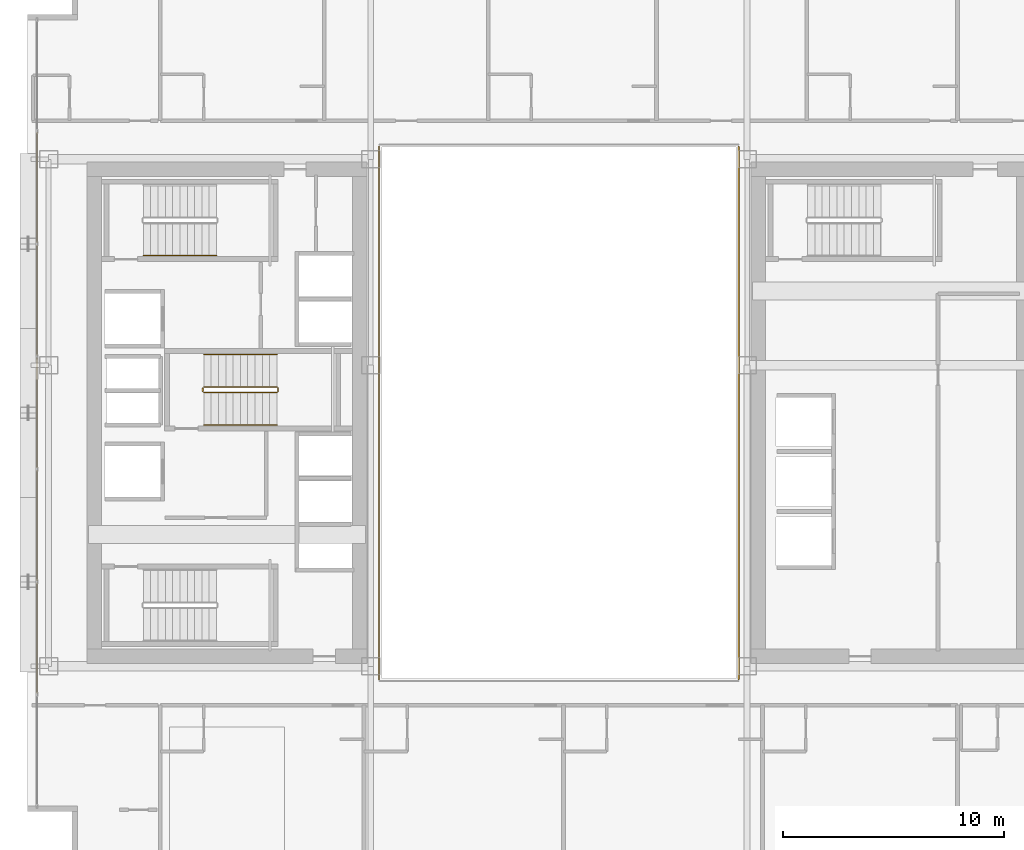
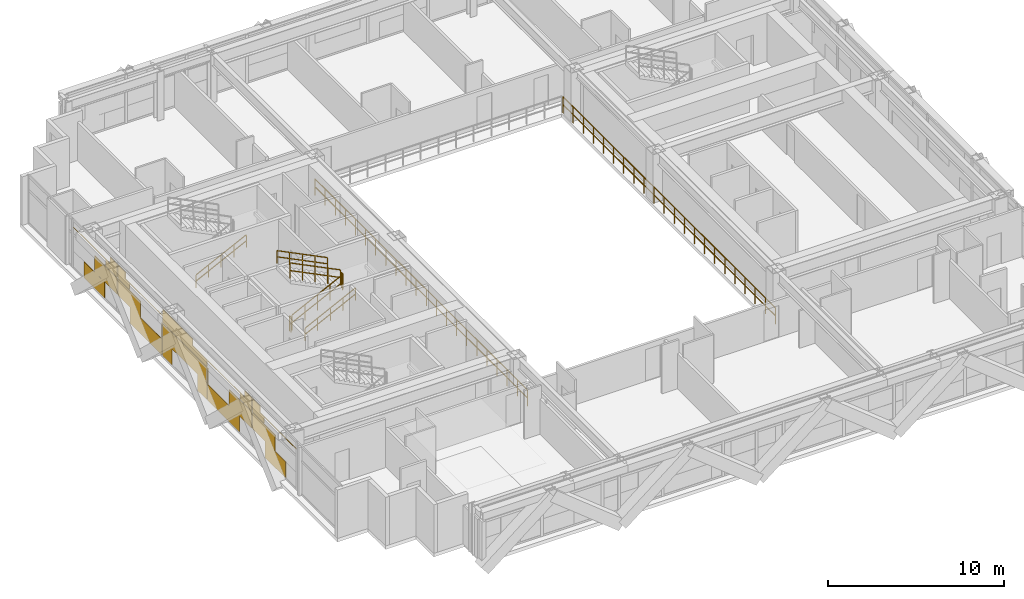
# One storey, part 32 of 34: 9 railings, 1 covering.
"""IFC4 building model written with IfcOpenShell, lengths in metres."""

from ifc_helpers import new_model, si_unit, direction, frame, origin, origin_2d, place, context, subcontext, project, spatial, rectangle, extrude, material, layer, layer_set, type_object, element, save


model = new_model("IFC4")

# Units and contexts
model_context = context("Model", 3, precision=1e-05, world=origin(), true_north=direction((0.0, 1.0)))
body_context = subcontext(model_context, "Body", "Model", "MODEL_VIEW")
ifc_project = project(units=[si_unit("LENGTHUNIT", "METRE"), si_unit("AREAUNIT", "SQUARE_METRE"), si_unit("VOLUMEUNIT", "CUBIC_METRE"), si_unit("PLANEANGLEUNIT", "RADIAN"), si_unit("MASSUNIT", "GRAM", prefix="KILO")], contexts=[model_context])

# Site, building, storey
site_placement = place(None, origin())
site = spatial("IfcSite", under=ifc_project, at=site_placement, CompositionType="ELEMENT")
building_placement = place(site_placement, origin())
building = spatial("IfcBuilding", under=site, at=building_placement, Name="Ocotamira Hotel", CompositionType="ELEMENT")
storey_placement = place(building_placement, frame((0.0, 0.0, 111.60009765625)))
storey = spatial("IfcBuildingStorey", under=building, at=storey_placement, Name="L27", CompositionType="ELEMENT", Elevation=111.60009765625)

# Covering
ifc_material_1 = material(Name="Insulated pale-metal aluminium spandrel panel", Category="aluminium")
ifc_layer = layer(ifc_material_1, 0.044921875)
ifc_layer_set = layer_set([ifc_layer], Name="Insulated pale-metal aluminium spandrel panel")
covering_type = type_object("IfcCoveringType", Name="COV-INFILL-45", PredefinedType="CLADDING", material=ifc_layer_set)
covering_placement = place(storey_placement, origin())
element("IfcCovering", 1, at=covering_placement, inside=storey, type_object=covering_type, Name="L27 Curtain Wall Infill CW-3 CW-L27-W", PredefinedType="CLADDING", context=body_context, shape_type="SweptSolid", body=[
    extrude(rectangle(XDim=2.35107421875, YDim=0.044921875, at=origin_2d()), frame((8.419921875, 15.741943359375, 0.0751953125), z_axis=(0.0, 0.0, 1.0), x_axis=(0.0, 1.0, 0.0)), (0.0, 0.0, 1.0), 1.117919921875),
    extrude(rectangle(XDim=2.578369140625, YDim=0.044921875, at=origin_2d()), frame((8.419921875, 17.041748046875, 1.194091796875), z_axis=(0.0, 0.0, 1.0), x_axis=(0.0, 1.0, 0.0)), (0.0, 0.0, 1.0), 1.11767578125),
    extrude(rectangle(XDim=5.004638671875, YDim=0.044921875, at=origin_2d()), frame((8.419921875, 15.82861328125, 2.80224609375), z_axis=(0.0, 0.0, 1.0), x_axis=(0.0, 1.0, 0.0)), (0.0, 0.0, 1.0), 0.033203125),
    extrude(rectangle(XDim=1.312744140625, YDim=0.044921875, at=origin_2d()), frame((8.419921875, 17.674560546875, 2.3876953125), z_axis=(0.0, 0.0, 1.0), x_axis=(0.0, 1.0, 0.0)), (0.0, 0.0, 1.0), 0.413330078125),
    extrude(rectangle(XDim=0.837158203125, YDim=0.044921875, at=origin_2d()), frame((8.419921875, 17.912353515625, 2.836669921875), z_axis=(0.0, 0.0, 1.0), x_axis=(0.0, 1.0, 0.0)), (0.0, 0.0, 1.0), 0.44775390625),
    extrude(rectangle(XDim=2.568603515625, YDim=0.044921875, at=origin_2d()), frame((8.419921875, 19.6962890625, 1.194091796875), z_axis=(0.0, 0.0, 1.0), x_axis=(0.0, 1.0, 0.0)), (0.0, 0.0, 1.0), 1.11767578125),
    extrude(rectangle(XDim=3.600830078125, YDim=0.044921875, at=origin_2d()), frame((8.419921875, 21.6162109375, 0.0751953125), z_axis=(0.0, 0.0, 1.0), x_axis=(0.0, 1.0, 0.0)), (0.0, 0.0, 1.0), 1.117919921875),
    extrude(rectangle(XDim=0.03076171875, YDim=0.044921875, at=origin_2d()), frame((8.419921875, 23.4013671875, 1.194091796875), z_axis=(0.0, 0.0, 1.0), x_axis=(0.0, 1.0, 0.0)), (0.0, 0.0, 1.0), 1.11767578125),
    extrude(rectangle(XDim=1.302978515625, YDim=0.044921875, at=origin_2d()), frame((8.419921875, 19.0634765625, 2.3876953125), z_axis=(0.0, 0.0, 1.0), x_axis=(0.0, 1.0, 0.0)), (0.0, 0.0, 1.0), 0.413330078125),
    extrude(rectangle(XDim=5.004638671875, YDim=0.044921875, at=origin_2d()), frame((8.419921875, 20.914306640625, 2.80224609375), z_axis=(0.0, 0.0, 1.0), x_axis=(0.0, 1.0, 0.0)), (0.0, 0.0, 1.0), 0.033203125),
    extrude(rectangle(XDim=0.827392578125, YDim=0.044921875, at=origin_2d()), frame((8.419921875, 18.82568359375, 2.836669921875), z_axis=(0.0, 0.0, 1.0), x_axis=(0.0, 1.0, 0.0)), (0.0, 0.0, 1.0), 0.44775390625),
    extrude(rectangle(XDim=1.05322265625, YDim=0.044921875, at=origin_2d()), frame((8.419921875, 24.0244140625, 0.0751953125), z_axis=(0.0, 0.0, 1.0), x_axis=(0.0, 1.0, 0.0)), (0.0, 0.0, 1.0), 1.117919921875),
    extrude(rectangle(XDim=5.004638671875, YDim=0.044921875, at=origin_2d()), frame((8.419921875, 26.0, 1.194091796875), z_axis=(0.0, 0.0, 1.0), x_axis=(0.0, 1.0, 0.0)), (0.0, 0.0, 1.0), 1.11767578125),
    extrude(rectangle(XDim=1.05322265625, YDim=0.044921875, at=origin_2d()), frame((8.419921875, 27.9755859375, 0.0751953125), z_axis=(0.0, 0.0, 1.0), x_axis=(0.0, 1.0, 0.0)), (0.0, 0.0, 1.0), 1.117919921875),
    extrude(rectangle(XDim=5.004638671875, YDim=0.044921875, at=origin_2d()), frame((8.419921875, 26.0, 2.387939453125), z_axis=(0.0, 0.0, 1.0), x_axis=(0.0, 1.0, 0.0)), (0.0, 0.0, 1.0), 0.44775390625),
    extrude(rectangle(XDim=3.375, YDim=0.044921875, at=origin_2d()), frame((8.419921875, 26.814697265625, 2.836669921875), z_axis=(0.0, 0.0, 1.0), x_axis=(0.0, 1.0, 0.0)), (0.0, 0.0, 1.0), 0.44775390625),
    extrude(rectangle(XDim=3.600830078125, YDim=0.044921875, at=origin_2d()), frame((8.419921875, 30.3837890625, 0.0751953125), z_axis=(0.0, 0.0, 1.0), x_axis=(0.0, 1.0, 0.0)), (0.0, 0.0, 1.0), 1.117919921875),
    extrude(rectangle(XDim=0.03076171875, YDim=0.044921875, at=origin_2d()), frame((8.419921875, 28.5986328125, 1.194091796875), z_axis=(0.0, 0.0, 1.0), x_axis=(0.0, 1.0, 0.0)), (0.0, 0.0, 1.0), 1.11767578125),
    extrude(rectangle(XDim=2.568603515625, YDim=0.044921875, at=origin_2d()), frame((8.419921875, 32.3037109375, 1.194091796875), z_axis=(0.0, 0.0, 1.0), x_axis=(0.0, 1.0, 0.0)), (0.0, 0.0, 1.0), 1.11767578125),
    extrude(rectangle(XDim=5.004638671875, YDim=0.044921875, at=origin_2d()), frame((8.419921875, 31.085693359375, 2.80224609375), z_axis=(0.0, 0.0, 1.0), x_axis=(0.0, 1.0, 0.0)), (0.0, 0.0, 1.0), 0.033203125),
    extrude(rectangle(XDim=1.302978515625, YDim=0.044921875, at=origin_2d()), frame((8.419921875, 32.9365234375, 2.3876953125), z_axis=(0.0, 0.0, 1.0), x_axis=(0.0, 1.0, 0.0)), (0.0, 0.0, 1.0), 0.413330078125),
    extrude(rectangle(XDim=0.827392578125, YDim=0.044921875, at=origin_2d()), frame((8.419921875, 33.17431640625, 2.836669921875), z_axis=(0.0, 0.0, 1.0), x_axis=(0.0, 1.0, 0.0)), (0.0, 0.0, 1.0), 0.44775390625),
    extrude(rectangle(XDim=2.578369140625, YDim=0.044921875, at=origin_2d()), frame((8.419921875, 34.958251953125, 1.194091796875), z_axis=(0.0, 0.0, 1.0), x_axis=(0.0, 1.0, 0.0)), (0.0, 0.0, 1.0), 1.11767578125),
    extrude(rectangle(XDim=2.35107421875, YDim=0.044921875, at=origin_2d()), frame((8.419921875, 36.258056640625, 0.0751953125), z_axis=(0.0, 0.0, 1.0), x_axis=(0.0, 1.0, 0.0)), (0.0, 0.0, 1.0), 1.117919921875),
    extrude(rectangle(XDim=1.312744140625, YDim=0.044921875, at=origin_2d()), frame((8.419921875, 34.325439453125, 2.3876953125), z_axis=(0.0, 0.0, 1.0), x_axis=(0.0, 1.0, 0.0)), (0.0, 0.0, 1.0), 0.413330078125),
    extrude(rectangle(XDim=5.004638671875, YDim=0.044921875, at=origin_2d()), frame((8.419921875, 36.17138671875, 2.80224609375), z_axis=(0.0, 0.0, 1.0), x_axis=(0.0, 1.0, 0.0)), (0.0, 0.0, 1.0), 0.033203125),
    extrude(rectangle(XDim=0.837158203125, YDim=0.044921875, at=origin_2d()), frame((8.419921875, 34.087646484375, 2.836669921875), z_axis=(0.0, 0.0, 1.0), x_axis=(0.0, 1.0, 0.0)), (0.0, 0.0, 1.0), 0.44775390625),
])

# Railings
ifc_material_2 = material(Name="Painted steel stair guardrail", Category="steel")
railing_type_1 = type_object("IfcRailingType", Name="RL-EDGE-1150", PredefinedType="GUARDRAIL", material=ifc_material_2)
railing_1_placement = place(storey_placement, frame((40.1201171875, 13.9599609375, 0.0)))
element("IfcRailing", 2, at=railing_1_placement, inside=storey, type_object=railing_type_1, Name="L27 Central Atrium Edge Guardrail E", PredefinedType="GUARDRAIL", context=body_context, shape_type="SweptSolid", body=[
    extrude(rectangle(XDim=0.048095703125, YDim=0.048095703125, at=origin_2d()), frame((0.0, 0.0, 1.1259765625), z_axis=(0.0, 1.0, 0.0), x_axis=(-1.0, 0.0, 0.0)), (0.0, 0.0, 1.0), 24.080078125),
    extrude(rectangle(XDim=0.048095703125, YDim=0.048095703125, at=origin_2d()), frame((0.0, 0.0, 0.574951171875), z_axis=(0.0, 1.0, 0.0), x_axis=(-1.0, 0.0, 0.0)), (0.0, 0.0, 1.0), 24.080078125),
    extrude(rectangle(XDim=0.0419921875, YDim=0.0419921875, at=origin_2d()), origin(), (0.0, 0.0, 1.0), 1.101806640625),
    extrude(rectangle(XDim=0.0419921875, YDim=0.0419921875, at=origin_2d()), frame((0.0, 1.146728515625, 0.0)), (0.0, 0.0, 1.0), 1.101806640625),
    extrude(rectangle(XDim=0.0419921875, YDim=0.0419921875, at=origin_2d()), frame((0.0, 2.29345703125, 0.0)), (0.0, 0.0, 1.0), 1.101806640625),
    extrude(rectangle(XDim=0.0419921875, YDim=0.0419921875, at=origin_2d()), frame((0.0, 3.43994140625, 0.0)), (0.0, 0.0, 1.0), 1.101806640625),
    extrude(rectangle(XDim=0.0419921875, YDim=0.0419921875, at=origin_2d()), frame((0.0, 4.586669921875, 0.0)), (0.0, 0.0, 1.0), 1.101806640625),
    extrude(rectangle(XDim=0.0419921875, YDim=0.0419921875, at=origin_2d()), frame((0.0, 5.7333984375, 0.0)), (0.0, 0.0, 1.0), 1.101806640625),
    extrude(rectangle(XDim=0.0419921875, YDim=0.0419921875, at=origin_2d()), frame((0.0, 6.880126953125, 0.0)), (0.0, 0.0, 1.0), 1.101806640625),
    extrude(rectangle(XDim=0.0419921875, YDim=0.0419921875, at=origin_2d()), frame((0.0, 8.026611328125, 0.0)), (0.0, 0.0, 1.0), 1.101806640625),
    extrude(rectangle(XDim=0.0419921875, YDim=0.0419921875, at=origin_2d()), frame((0.0, 9.17333984375, 0.0)), (0.0, 0.0, 1.0), 1.101806640625),
    extrude(rectangle(XDim=0.0419921875, YDim=0.0419921875, at=origin_2d()), frame((0.0, 10.320068359375, 0.0)), (0.0, 0.0, 1.0), 1.101806640625),
    extrude(rectangle(XDim=0.0419921875, YDim=0.0419921875, at=origin_2d()), frame((0.0, 11.466796875, 0.0)), (0.0, 0.0, 1.0), 1.101806640625),
    extrude(rectangle(XDim=0.0419921875, YDim=0.0419921875, at=origin_2d()), frame((0.0, 12.61328125, 0.0)), (0.0, 0.0, 1.0), 1.101806640625),
    extrude(rectangle(XDim=0.0419921875, YDim=0.0419921875, at=origin_2d()), frame((0.0, 13.760009765625, 0.0)), (0.0, 0.0, 1.0), 1.101806640625),
    extrude(rectangle(XDim=0.0419921875, YDim=0.0419921875, at=origin_2d()), frame((0.0, 14.90673828125, 0.0)), (0.0, 0.0, 1.0), 1.101806640625),
    extrude(rectangle(XDim=0.0419921875, YDim=0.0419921875, at=origin_2d()), frame((0.0, 16.053466796875, 0.0)), (0.0, 0.0, 1.0), 1.101806640625),
    extrude(rectangle(XDim=0.0419921875, YDim=0.0419921875, at=origin_2d()), frame((0.0, 17.199951171875, 0.0)), (0.0, 0.0, 1.0), 1.101806640625),
    extrude(rectangle(XDim=0.0419921875, YDim=0.0419921875, at=origin_2d()), frame((0.0, 18.3466796875, 0.0)), (0.0, 0.0, 1.0), 1.101806640625),
    extrude(rectangle(XDim=0.0419921875, YDim=0.0419921875, at=origin_2d()), frame((0.0, 19.493408203125, 0.0)), (0.0, 0.0, 1.0), 1.101806640625),
    extrude(rectangle(XDim=0.0419921875, YDim=0.0419921875, at=origin_2d()), frame((0.0, 20.64013671875, 0.0)), (0.0, 0.0, 1.0), 1.101806640625),
    extrude(rectangle(XDim=0.0419921875, YDim=0.0419921875, at=origin_2d()), frame((0.0, 21.78662109375, 0.0)), (0.0, 0.0, 1.0), 1.101806640625),
    extrude(rectangle(XDim=0.0419921875, YDim=0.0419921875, at=origin_2d()), frame((0.0, 22.933349609375, 0.0)), (0.0, 0.0, 1.0), 1.101806640625),
    extrude(rectangle(XDim=0.0419921875, YDim=0.0419921875, at=origin_2d()), frame((0.0, 24.080078125, 0.0)), (0.0, 0.0, 1.0), 1.101806640625),
])
railing_2_placement = place(storey_placement, frame((23.8798828125, 38.0400390625, 0.0)))
element("IfcRailing", 3, at=railing_2_placement, inside=storey, type_object=railing_type_1, Name="L27 Central Atrium Edge Guardrail W", PredefinedType="GUARDRAIL", context=body_context, shape_type="SweptSolid", body=[
    extrude(rectangle(XDim=0.048095703125, YDim=0.048095703125, at=origin_2d()), frame((0.0, 0.0, 1.1259765625), z_axis=(0.0, -1.0, 0.0), x_axis=(1.0, 0.0, 0.0)), (0.0, 0.0, 1.0), 24.080078125),
    extrude(rectangle(XDim=0.048095703125, YDim=0.048095703125, at=origin_2d()), frame((0.0, 0.0, 0.574951171875), z_axis=(0.0, -1.0, 0.0), x_axis=(1.0, 0.0, 0.0)), (0.0, 0.0, 1.0), 24.080078125),
    extrude(rectangle(XDim=0.0419921875, YDim=0.0419921875, at=origin_2d()), origin(), (0.0, 0.0, 1.0), 1.101806640625),
    extrude(rectangle(XDim=0.0419921875, YDim=0.0419921875, at=origin_2d()), frame((0.0, -1.146728515625, 0.0)), (0.0, 0.0, 1.0), 1.101806640625),
    extrude(rectangle(XDim=0.0419921875, YDim=0.0419921875, at=origin_2d()), frame((0.0, -2.29345703125, 0.0)), (0.0, 0.0, 1.0), 1.101806640625),
    extrude(rectangle(XDim=0.0419921875, YDim=0.0419921875, at=origin_2d()), frame((0.0, -3.43994140625, 0.0)), (0.0, 0.0, 1.0), 1.101806640625),
    extrude(rectangle(XDim=0.0419921875, YDim=0.0419921875, at=origin_2d()), frame((0.0, -4.586669921875, 0.0)), (0.0, 0.0, 1.0), 1.101806640625),
    extrude(rectangle(XDim=0.0419921875, YDim=0.0419921875, at=origin_2d()), frame((0.0, -5.7333984375, 0.0)), (0.0, 0.0, 1.0), 1.101806640625),
    extrude(rectangle(XDim=0.0419921875, YDim=0.0419921875, at=origin_2d()), frame((0.0, -6.880126953125, 0.0)), (0.0, 0.0, 1.0), 1.101806640625),
    extrude(rectangle(XDim=0.0419921875, YDim=0.0419921875, at=origin_2d()), frame((0.0, -8.026611328125, 0.0)), (0.0, 0.0, 1.0), 1.101806640625),
    extrude(rectangle(XDim=0.0419921875, YDim=0.0419921875, at=origin_2d()), frame((0.0, -9.17333984375, 0.0)), (0.0, 0.0, 1.0), 1.101806640625),
    extrude(rectangle(XDim=0.0419921875, YDim=0.0419921875, at=origin_2d()), frame((0.0, -10.320068359375, 0.0)), (0.0, 0.0, 1.0), 1.101806640625),
    extrude(rectangle(XDim=0.0419921875, YDim=0.0419921875, at=origin_2d()), frame((0.0, -11.466796875, 0.0)), (0.0, 0.0, 1.0), 1.101806640625),
    extrude(rectangle(XDim=0.0419921875, YDim=0.0419921875, at=origin_2d()), frame((0.0, -12.61328125, 0.0)), (0.0, 0.0, 1.0), 1.101806640625),
    extrude(rectangle(XDim=0.0419921875, YDim=0.0419921875, at=origin_2d()), frame((0.0, -13.760009765625, 0.0)), (0.0, 0.0, 1.0), 1.101806640625),
    extrude(rectangle(XDim=0.0419921875, YDim=0.0419921875, at=origin_2d()), frame((0.0, -14.90673828125, 0.0)), (0.0, 0.0, 1.0), 1.101806640625),
    extrude(rectangle(XDim=0.0419921875, YDim=0.0419921875, at=origin_2d()), frame((0.0, -16.053466796875, 0.0)), (0.0, 0.0, 1.0), 1.101806640625),
    extrude(rectangle(XDim=0.0419921875, YDim=0.0419921875, at=origin_2d()), frame((0.0, -17.199951171875, 0.0)), (0.0, 0.0, 1.0), 1.101806640625),
    extrude(rectangle(XDim=0.0419921875, YDim=0.0419921875, at=origin_2d()), frame((0.0, -18.3466796875, 0.0)), (0.0, 0.0, 1.0), 1.101806640625),
    extrude(rectangle(XDim=0.0419921875, YDim=0.0419921875, at=origin_2d()), frame((0.0, -19.493408203125, 0.0)), (0.0, 0.0, 1.0), 1.101806640625),
    extrude(rectangle(XDim=0.0419921875, YDim=0.0419921875, at=origin_2d()), frame((0.0, -20.64013671875, 0.0)), (0.0, 0.0, 1.0), 1.101806640625),
    extrude(rectangle(XDim=0.0419921875, YDim=0.0419921875, at=origin_2d()), frame((0.0, -21.78662109375, 0.0)), (0.0, 0.0, 1.0), 1.101806640625),
    extrude(rectangle(XDim=0.0419921875, YDim=0.0419921875, at=origin_2d()), frame((0.0, -22.933349609375, 0.0)), (0.0, 0.0, 1.0), 1.101806640625),
    extrude(rectangle(XDim=0.0419921875, YDim=0.0419921875, at=origin_2d()), frame((0.0, -24.080078125, 0.0)), (0.0, 0.0, 1.0), 1.101806640625),
])
ifc_material_3 = material(Name="Brushed stainless steel handrail", Category="steel")
railing_type_2 = type_object("IfcRailingType", Name="RL-HAND-900", PredefinedType="HANDRAIL", material=ifc_material_3)
for number, where, name in (
    (4, (13.22998046875, 33.10009765625, 0.3271484375), "L27 ST-2 stair handrail 1"),
    (5, (15.9599609375, 25.449951171875, 0.3271484375), "L27 ST-3 stair handrail 1"),
):
    element("IfcRailing", number, at=place(storey_placement, frame(where)), inside=storey, type_object=railing_type_2, Name=name, PredefinedType="HANDRAIL", context=body_context, shape_type="SweptSolid", body=[
        extrude(rectangle(XDim=0.048095703125, YDim=0.048095703125, at=origin_2d()), frame((0.0, 0.0, 0.8759765625), z_axis=(0.895893744519, 0.0, 0.4442683857), x_axis=(0.0, 1.0, 0.0)), (0.0, 0.0, 1.0), 3.68359375),
        extrude(rectangle(XDim=0.048095703125, YDim=0.048095703125, at=origin_2d()), frame((0.0, 0.0, 0.449951171875), z_axis=(0.895893744519, 0.0, 0.4442683857), x_axis=(0.0, 1.0, 0.0)), (0.0, 0.0, 1.0), 3.68359375),
        extrude(rectangle(XDim=0.0419921875, YDim=0.0419921875, at=origin_2d()), origin(), (0.0, 0.0, 1.0), 0.851806640625),
        extrude(rectangle(XDim=0.0419921875, YDim=0.0419921875, at=origin_2d()), frame((0.824951171875, 0.0, 0.4091796875)), (0.0, 0.0, 1.0), 0.851806640625),
        extrude(rectangle(XDim=0.0419921875, YDim=0.0419921875, at=origin_2d()), frame((1.64990234375, 0.0, 0.818359375)), (0.0, 0.0, 1.0), 0.851806640625),
        extrude(rectangle(XDim=0.0419921875, YDim=0.0419921875, at=origin_2d()), frame((2.47509765625, 0.0, 1.227294921875)), (0.0, 0.0, 1.0), 0.851806640625),
        extrude(rectangle(XDim=0.0419921875, YDim=0.0419921875, at=origin_2d()), frame((3.300048828125, 0.0, 1.636474609375)), (0.0, 0.0, 1.0), 0.851806640625),
    ])
railing_3_placement = place(storey_placement, frame((19.260009765625, 28.6298828125, 2.127197265625)))
element("IfcRailing", 6, at=railing_3_placement, inside=storey, type_object=railing_type_2, Name="L27 ST-3 stair handrail 2", PredefinedType="HANDRAIL", context=body_context, shape_type="SweptSolid", body=[
    extrude(rectangle(XDim=0.048095703125, YDim=0.048095703125, at=origin_2d()), frame((0.0, 0.0, 0.8759765625), z_axis=(-0.895920123917, 0.0, 0.444215186098), x_axis=(0.0, -1.0, 0.0)), (0.0, 0.0, 1.0), 3.683349609375),
    extrude(rectangle(XDim=0.048095703125, YDim=0.048095703125, at=origin_2d()), frame((0.0, 0.0, 0.449951171875), z_axis=(-0.895920123917, 0.0, 0.444215186098), x_axis=(0.0, -1.0, 0.0)), (0.0, 0.0, 1.0), 3.683349609375),
    extrude(rectangle(XDim=0.0419921875, YDim=0.0419921875, at=origin_2d()), origin(), (0.0, 0.0, 1.0), 0.851806640625),
    extrude(rectangle(XDim=0.0419921875, YDim=0.0419921875, at=origin_2d()), frame((-0.824951171875, 0.0, 0.4091796875)), (0.0, 0.0, 1.0), 0.851806640625),
    extrude(rectangle(XDim=0.0419921875, YDim=0.0419921875, at=origin_2d()), frame((-1.64990234375, 0.0, 0.818115234375)), (0.0, 0.0, 1.0), 0.851806640625),
    extrude(rectangle(XDim=0.0419921875, YDim=0.0419921875, at=origin_2d()), frame((-2.47509765625, 0.0, 1.22705078125)), (0.0, 0.0, 1.0), 0.851806640625),
    extrude(rectangle(XDim=0.0419921875, YDim=0.0419921875, at=origin_2d()), frame((-3.300048828125, 0.0, 1.63623046875)), (0.0, 0.0, 1.0), 0.851806640625),
])
railing_type_3 = type_object("IfcRailingType", Name="RL-STAIR-1100", PredefinedType="GUARDRAIL", material=ifc_material_2)
railing_4_placement = place(storey_placement, frame((15.9599609375, 26.909912109375, 0.16357421875)))
element("IfcRailing", 7, at=railing_4_placement, inside=storey, type_object=railing_type_3, Name="L27 ST-3 stair guard 1", PredefinedType="GUARDRAIL", context=body_context, shape_type="SweptSolid", body=[
    extrude(rectangle(XDim=0.048095703125, YDim=0.048095703125, at=origin_2d()), frame((0.0, 0.0, 1.076171875), z_axis=(0.895920123917, 0.0, 0.444215186098), x_axis=(0.0, 1.0, 0.0)), (0.0, 0.0, 1.0), 3.683349609375),
    extrude(rectangle(XDim=0.048095703125, YDim=0.048095703125, at=origin_2d()), frame((0.0, 0.0, 0.550048828125), z_axis=(0.895920123917, 0.0, 0.444215186098), x_axis=(0.0, 1.0, 0.0)), (0.0, 0.0, 1.0), 3.683349609375),
    extrude(rectangle(XDim=0.0419921875, YDim=0.0419921875, at=origin_2d()), origin(), (0.0, 0.0, 1.0), 1.052001953125),
    extrude(rectangle(XDim=0.0419921875, YDim=0.0419921875, at=origin_2d()), frame((0.824951171875, 0.0, 0.4091796875)), (0.0, 0.0, 1.0), 1.052001953125),
    extrude(rectangle(XDim=0.0419921875, YDim=0.0419921875, at=origin_2d()), frame((1.64990234375, 0.0, 0.818115234375)), (0.0, 0.0, 1.0), 1.052001953125),
    extrude(rectangle(XDim=0.0419921875, YDim=0.0419921875, at=origin_2d()), frame((2.47509765625, 0.0, 1.22705078125)), (0.0, 0.0, 1.0), 1.052001953125),
    extrude(rectangle(XDim=0.0419921875, YDim=0.0419921875, at=origin_2d()), frame((3.300048828125, 0.0, 1.63623046875)), (0.0, 0.0, 1.0), 1.052001953125),
])
railing_5_placement = place(storey_placement, frame((19.31005859375, 26.9599609375, 1.7998046875)))
element("IfcRailing", 8, at=railing_5_placement, inside=storey, type_object=railing_type_3, Name="L27 ST-3 stair guard 2", PredefinedType="GUARDRAIL", context=body_context, shape_type="SweptSolid", body=[
    extrude(rectangle(XDim=0.048095703125, YDim=0.048095703125, at=origin_2d()), frame((0.0, 0.0, 1.076171875), z_axis=(0.0, 1.0, 0.0), x_axis=(-1.0, 0.0, 0.0)), (0.0, 0.0, 1.0), 0.16015625),
    extrude(rectangle(XDim=0.048095703125, YDim=0.048095703125, at=origin_2d()), frame((0.0, 0.0, 0.550048828125), z_axis=(0.0, 1.0, 0.0), x_axis=(-1.0, 0.0, 0.0)), (0.0, 0.0, 1.0), 0.16015625),
    extrude(rectangle(XDim=0.0419921875, YDim=0.0419921875, at=origin_2d()), origin(), (0.0, 0.0, 1.0), 1.052001953125),
    extrude(rectangle(XDim=0.0419921875, YDim=0.0419921875, at=origin_2d()), frame((0.0, 0.16015625, 0.0)), (0.0, 0.0, 1.0), 1.052001953125),
])
railing_6_placement = place(storey_placement, frame((19.260009765625, 27.169921875, 1.963623046875)))
element("IfcRailing", 9, at=railing_6_placement, inside=storey, type_object=railing_type_3, Name="L27 ST-3 stair guard 3", PredefinedType="GUARDRAIL", context=body_context, shape_type="SweptSolid", body=[
    extrude(rectangle(XDim=0.048095703125, YDim=0.048095703125, at=origin_2d()), frame((0.0, 0.0, 1.076171875), z_axis=(-0.895920123917, 0.0, 0.444215186098), x_axis=(0.0, -1.0, 0.0)), (0.0, 0.0, 1.0), 3.683349609375),
    extrude(rectangle(XDim=0.048095703125, YDim=0.048095703125, at=origin_2d()), frame((0.0, 0.0, 0.550048828125), z_axis=(-0.895920123917, 0.0, 0.444215186098), x_axis=(0.0, -1.0, 0.0)), (0.0, 0.0, 1.0), 3.683349609375),
    extrude(rectangle(XDim=0.0419921875, YDim=0.0419921875, at=origin_2d()), origin(), (0.0, 0.0, 1.0), 1.052001953125),
    extrude(rectangle(XDim=0.0419921875, YDim=0.0419921875, at=origin_2d()), frame((-0.824951171875, 0.0, 0.4091796875)), (0.0, 0.0, 1.0), 1.052001953125),
    extrude(rectangle(XDim=0.0419921875, YDim=0.0419921875, at=origin_2d()), frame((-1.64990234375, 0.0, 0.818115234375)), (0.0, 0.0, 1.0), 1.052001953125),
    extrude(rectangle(XDim=0.0419921875, YDim=0.0419921875, at=origin_2d()), frame((-2.47509765625, 0.0, 1.22705078125)), (0.0, 0.0, 1.0), 1.052001953125),
    extrude(rectangle(XDim=0.0419921875, YDim=0.0419921875, at=origin_2d()), frame((-3.300048828125, 0.0, 1.63623046875)), (0.0, 0.0, 1.0), 1.052001953125),
])
railing_7_placement = place(storey_placement, frame((15.909912109375, 26.9599609375, 0.0)))
element("IfcRailing", 10, at=railing_7_placement, inside=storey, type_object=railing_type_3, Name="L27 ST-3 stair guard 4", PredefinedType="GUARDRAIL", context=body_context, shape_type="SweptSolid", body=[
    extrude(rectangle(XDim=0.048095703125, YDim=0.048095703125, at=origin_2d()), frame((0.0, 0.0, 1.076171875), z_axis=(0.0, 1.0, 0.0), x_axis=(-1.0, 0.0, 0.0)), (0.0, 0.0, 1.0), 0.16015625),
    extrude(rectangle(XDim=0.048095703125, YDim=0.048095703125, at=origin_2d()), frame((0.0, 0.0, 0.550048828125), z_axis=(0.0, 1.0, 0.0), x_axis=(-1.0, 0.0, 0.0)), (0.0, 0.0, 1.0), 0.16015625),
    extrude(rectangle(XDim=0.0419921875, YDim=0.0419921875, at=origin_2d()), origin(), (0.0, 0.0, 1.0), 1.052001953125),
    extrude(rectangle(XDim=0.0419921875, YDim=0.0419921875, at=origin_2d()), frame((0.0, 0.16015625, 0.0)), (0.0, 0.0, 1.0), 1.052001953125),
])

save(model, "model.ifc")
